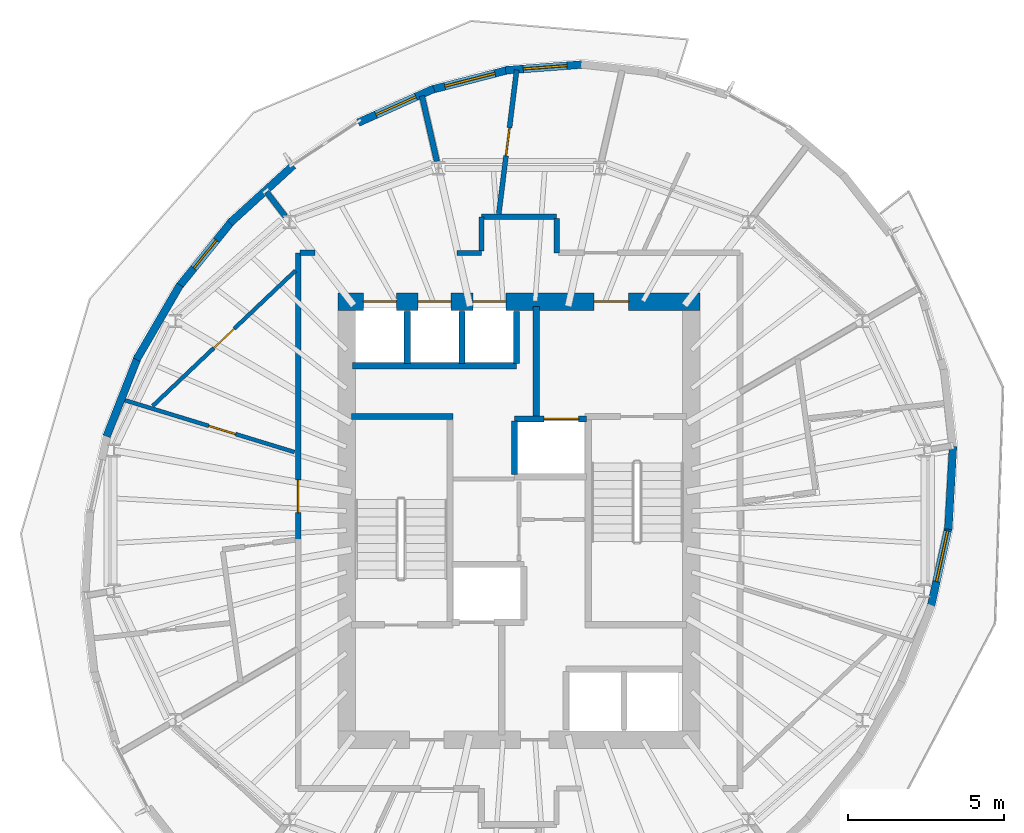
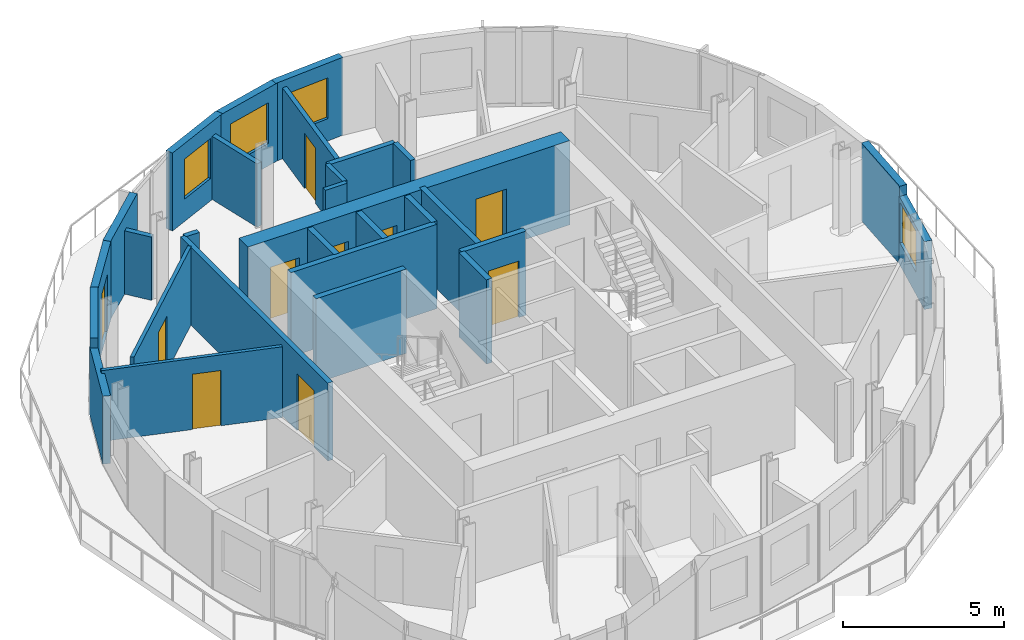
# One storey, part 6 of 11: 29 walls, 10 doors, 4 windows, 14 openings.
"""IFC4 building model written with IfcOpenShell, lengths in metres."""

from ifc_helpers import new_model, si_unit, direction, frame, frame_2d, origin, place, context, subcontext, project, spatial, rectangle, extrude, material, layer, layer_set, type_object, element, fill, save


model = new_model("IFC4")

# Units and contexts
model_context = context("Model", 3, precision=1e-05, world=origin(), true_north=direction((0.0, 1.0)))
body_context = subcontext(model_context, "Body", "Model", "MODEL_VIEW")
ifc_project = project(units=[si_unit("LENGTHUNIT", "METRE"), si_unit("AREAUNIT", "SQUARE_METRE"), si_unit("VOLUMEUNIT", "CUBIC_METRE"), si_unit("PLANEANGLEUNIT", "RADIAN"), si_unit("MASSUNIT", "GRAM", prefix="KILO")], contexts=[model_context])

# Site, building, storey
site_placement = place(None, origin())
site = spatial("IfcSite", under=ifc_project, at=site_placement, CompositionType="ELEMENT")
building_placement = place(site_placement, origin())
building = spatial("IfcBuilding", under=site, at=building_placement, Name="Veldorim Arch Residences", CompositionType="ELEMENT")
storey_placement = place(building_placement, frame((0.0, 0.0, 223.840087890625)))
storey = spatial("IfcBuildingStorey", under=building, at=storey_placement, Name="L67", CompositionType="ELEMENT", Elevation=223.840087890625)

# Wall, opening, door
ifc_material_1 = material(Name="Acoustic Gypsum Board", Category="gypsum")
ifc_layer_1 = layer(ifc_material_1, 0.125, Name="Acoustic Stud Room Partition Wall 125")
ifc_layer_set_1 = layer_set([ifc_layer_1], Name="Acoustic Gypsum Board")
wall_type_1 = type_object("IfcWallType", Name="Acoustic Stud Room Partition Wall 125", PredefinedType="PARTITIONING", material=ifc_layer_set_1)
wall_1_placement = place(storey_placement, frame((19.2998046875, 27.879150390625, 0.0), z_axis=(0.0, 0.0, 1.0), x_axis=(0.956379122361, -0.29212835246, 0.0)))
wall_1 = element("IfcWall", 1, at=wall_1_placement, inside=storey, type_object=wall_type_1, Name="L67 interior wall WL-RES-L67-030", PredefinedType="PARTITIONING", context=body_context, shape_type="SweptSolid", body=[
    extrude(rectangle(XDim=5.77734375, YDim=0.125, at=frame_2d((2.888671875, 0.0))), origin(), (0.0, 0.0, 1.0), 2.69189453125),
])
opening_1_placement = place(wall_1_placement, frame((2.91015625, 0.0, 0.0)))
opening_1 = element("IfcOpeningElement", 2, at=opening_1_placement, cuts=wall_1, Name="Opening DR-INT", PredefinedType="OPENING", context=body_context, shape_type="SweptSolid", body=[
    extrude(rectangle(XDim=0.89990234375, YDim=2.10009765625, at=frame_2d((0.449951171875, 1.050048828125))), frame((0.0, 0.072509765625, 0.0), z_axis=(0.0, -1.0, 0.0), x_axis=(1.0, 0.0, 0.0)), (0.0, 0.0, 1.0), 0.14501953125),
])
ifc_material_2 = material(Name="Engineered Timber", Category="wood")
door_type_1 = type_object("IfcDoorType", Name="Apartment Internal Room Timber Door 900x2100", OperationType="SINGLE_SWING_LEFT", PredefinedType="DOOR", material=ifc_material_2)
door_1_placement = place(opening_1_placement, origin())
door_1 = element("IfcDoor", 3, at=door_1_placement, inside=storey, type_object=door_type_1, Name="L67 interior door DR-RES-L67-016", OperationType="SINGLE_SWING_RIGHT", OverallHeight=2.10009765625, OverallWidth=0.89990234375, PredefinedType="DOOR", context=body_context, shape_type="SweptSolid", body=[
    extrude(rectangle(XDim=0.89990234375, YDim=2.10009765625, at=frame_2d((0.449951171875, 1.050048828125))), frame((0.0, 0.02490234375, 0.0), z_axis=(0.0, -1.0, 0.0), x_axis=(1.0, 0.0, 0.0)), (0.0, 0.0, 1.0), 0.050048828125),
])
fill(opening_1, door_1)

wall_2_placement = place(storey_placement, frame((20.29345703125, 27.66650390625, 0.0), z_axis=(0.0, 0.0, 1.0), x_axis=(0.725799476315, 0.687906330965, 0.0)))
wall_2 = element("IfcWall", 4, at=wall_2_placement, inside=storey, type_object=wall_type_1, Name="L67 interior wall WL-RES-L67-033", PredefinedType="PARTITIONING", context=body_context, shape_type="SweptSolid", body=[
    extrude(rectangle(XDim=6.28173828125, YDim=0.125, at=frame_2d((3.140869140625, 0.0))), origin(), (0.0, 0.0, 1.0), 2.954833984375),
])
opening_2_placement = place(wall_2_placement, frame((2.69091796875, 0.0, 0.0)))
opening_2 = element("IfcOpeningElement", 5, at=opening_2_placement, cuts=wall_2, Name="Opening DR-INT", PredefinedType="OPENING", context=body_context, shape_type="SweptSolid", body=[
    extrude(rectangle(XDim=0.89990234375, YDim=2.10009765625, at=frame_2d((0.449951171875, 1.050048828125))), frame((0.0, 0.072509765625, 0.0), z_axis=(0.0, -1.0, 0.0), x_axis=(1.0, 0.0, 0.0)), (0.0, 0.0, 1.0), 0.14501953125),
])
door_2_placement = place(opening_2_placement, origin())
door_2 = element("IfcDoor", 6, at=door_2_placement, inside=storey, type_object=door_type_1, Name="L67 interior door DR-RES-L67-017", OperationType="SINGLE_SWING_LEFT", OverallHeight=2.10009765625, OverallWidth=0.89990234375, PredefinedType="DOOR", context=body_context, shape_type="SweptSolid", body=[
    extrude(rectangle(XDim=0.89990234375, YDim=2.10009765625, at=frame_2d((0.449951171875, 1.050048828125))), frame((0.0, 0.02490234375, 0.0), z_axis=(0.0, -1.0, 0.0), x_axis=(1.0, 0.0, 0.0)), (0.0, 0.0, 1.0), 0.050048828125),
])
fill(opening_2, door_2)

# Walls
ifc_material_3 = material(Name="Lightweight Masonry Block & Gypsum", Category="masonry")
ifc_layer_2 = layer(ifc_material_3, 0.179931640625, Name="Compartment & Corridor Fire-Rated Party Wall 180")
ifc_layer_set_2 = layer_set([ifc_layer_2], Name="Lightweight Masonry Block & Gypsum")
wall_type_2 = type_object("IfcWallType", Name="Compartment & Corridor Fire-Rated Party Wall 180", PredefinedType="PARTITIONING", material=ifc_layer_set_2)
wall_3_placement = place(storey_placement, frame((29.37353515625, 35.483154296875, 0.0), z_axis=(0.0, 0.0, 1.0), x_axis=(-0.222945438732, 0.974830924493, 0.0)))
element("IfcWall", 7, at=wall_3_placement, inside=storey, type_object=wall_type_2, Name="L67 interior wall WL-PIER-L67-05", PredefinedType="PARTITIONING", context=body_context, shape_type="SweptSolid", body=[
    extrude(rectangle(XDim=2.14306640625, YDim=0.179931640625, at=frame_2d((1.071533203125, 0.0))), origin(), (0.0, 0.0, 1.0), 2.4033203125),
])
wall_4_placement = place(storey_placement, frame((24.526611328125, 33.727294921875, 0.0), z_axis=(0.0, 0.0, 1.0), x_axis=(-0.60918017505, 0.793031849503, 0.0)))
element("IfcWall", 8, at=wall_4_placement, inside=storey, type_object=wall_type_2, Name="L67 interior wall WL-PIER-L67-06", PredefinedType="PARTITIONING", context=body_context, shape_type="SweptSolid", body=[
    extrude(rectangle(XDim=0.978759765625, YDim=0.179931640625, at=frame_2d((0.4892578125, 0.0))), origin(), (0.0, 0.0, 1.0), 2.4033203125),
])
wall_5_placement = place(storey_placement, frame((30.800048828125, 33.7099609375, 0.0), z_axis=(0.0, 0.0, 1.0), x_axis=(1.0, 0.0, 0.0)))
element("IfcWall", 9, at=wall_5_placement, inside=storey, type_object=wall_type_2, Name="L67 interior wall WL-RES-L67-009", PredefinedType="PARTITIONING", context=body_context, shape_type="SweptSolid", body=[
    extrude(rectangle(XDim=2.39990234375, YDim=0.179931640625, at=frame_2d((1.199951171875, 0.0))), origin(), (0.0, 0.0, 1.0), 2.954833984375),
])
wall_6_placement = place(storey_placement, frame((33.199951171875, 33.64990234375, 0.0), z_axis=(0.0, 0.0, 1.0), x_axis=(0.0, -1.0, 0.0)))
element("IfcWall", 10, at=wall_6_placement, inside=storey, type_object=wall_type_2, Name="L67 interior wall WL-RES-L67-010", PredefinedType="PARTITIONING", context=body_context, shape_type="SweptSolid", body=[
    extrude(rectangle(XDim=1.08984375, YDim=0.179931640625, at=frame_2d((0.544921875, 0.0))), origin(), (0.0, 0.0, 1.0), 2.954833984375),
])

# Wall, opening, door
wall_7_placement = place(storey_placement, frame((24.93994140625, 23.383544921875, 0.0), z_axis=(0.0, 0.0, 1.0), x_axis=(0.0, 1.0, 0.0)))
wall_7 = element("IfcWall", 11, at=wall_7_placement, inside=storey, type_object=wall_type_2, Name="L67 interior wall WL-RES-L67-014", PredefinedType="PARTITIONING", context=body_context, shape_type="SweptSolid", body=[
    extrude(rectangle(XDim=9.176513671875, YDim=0.179931640625, at=frame_2d((4.58837890625, 0.0))), origin(), (0.0, 0.0, 1.0), 2.954833984375),
])
opening_3_placement = place(wall_7_placement, frame((0.871826171875, 0.0, 0.0)))
opening_3 = element("IfcOpeningElement", 12, at=opening_3_placement, cuts=wall_7, Name="Opening DR-FLT", PredefinedType="OPENING", context=body_context, shape_type="SweptSolid", body=[
    extrude(rectangle(XDim=1.050048828125, YDim=2.14990234375, at=frame_2d((0.52490234375, 1.074951171875))), frame((0.0, 0.099853515625, 0.0), z_axis=(0.0, -1.0, 0.0), x_axis=(1.0, 0.0, 0.0)), (0.0, 0.0, 1.0), 0.199951171875),
])
ifc_material_4 = material(Name="Fire-Rated Timber", Category="wood")
door_type_2 = type_object("IfcDoorType", Name="Apartment Entrance Solid-Core Fire Door 1050x2150", OperationType="SINGLE_SWING_LEFT", PredefinedType="DOOR", material=ifc_material_4)
door_3_placement = place(opening_3_placement, origin())
door_3 = element("IfcDoor", 13, at=door_3_placement, inside=storey, type_object=door_type_2, Name="L67 interior door DR-RES-L67-014", OperationType="SINGLE_SWING_RIGHT", OverallHeight=2.14990234375, OverallWidth=1.050048828125, PredefinedType="DOOR", context=body_context, shape_type="SweptSolid", body=[
    extrude(rectangle(XDim=1.050048828125, YDim=2.14990234375, at=frame_2d((0.52490234375, 1.074951171875))), frame((0.0, 0.02490234375, 0.0), z_axis=(0.0, -1.0, 0.0), x_axis=(1.0, 0.0, 0.0)), (0.0, 0.0, 1.0), 0.050048828125),
])
fill(opening_3, door_3)

# Walls
wall_8_placement = place(storey_placement, frame((25.0, 32.56005859375, 0.0), z_axis=(0.0, 0.0, 1.0), x_axis=(1.0, 0.0, 0.0)))
element("IfcWall", 14, at=wall_8_placement, inside=storey, type_object=wall_type_2, Name="L67 interior wall WL-RES-L67-015", PredefinedType="PARTITIONING", context=body_context, shape_type="SweptSolid", body=[
    extrude(rectangle(XDim=0.485595703125, YDim=0.179931640625, at=frame_2d((0.24267578125, 0.0))), origin(), (0.0, 0.0, 1.0), 2.954833984375),
])
ifc_material_5 = material(Name="Concrete C50/60", Category="concrete")
ifc_layer_3 = layer(ifc_material_5, 0.199951171875, Name="Core Stair & Lift Shaft Enclosure Wall 200")
ifc_layer_set_3 = layer_set([ifc_layer_3], Name="Concrete C50/60")
wall_type_3 = type_object("IfcWallType", Name="Core Stair & Lift Shaft Enclosure Wall 200", PredefinedType="SHEAR", material=ifc_layer_set_3)
wall_9_placement = place(storey_placement, frame((26.64990234375, 27.330078125, 0.0), z_axis=(0.0, 0.0, 1.0), x_axis=(1.0, 0.0, 0.0)))
element("IfcWall", 15, at=wall_9_placement, inside=storey, type_object=wall_type_3, Name="L67 shaft wall WL-SHF-L67-ST1-N", PredefinedType="SHEAR", context=body_context, shape_type="SweptSolid", body=[
    extrude(rectangle(XDim=3.239990234375, YDim=0.199951171875, at=frame_2d((1.6201171875, 0.0))), origin(), (0.0, 0.0, 1.0), 3.199951171875),
])
wall_10_placement = place(storey_placement, frame((32.550048828125, 27.35009765625, 0.0), z_axis=(0.0, 0.0, 1.0), x_axis=(0.0, 1.0, 0.0)))
element("IfcWall", 16, at=wall_10_placement, inside=storey, type_object=wall_type_3, Name="L67 shaft wall WL-FFL2-L67-W", PredefinedType="SHEAR", context=body_context, shape_type="SweptSolid", body=[
    extrude(rectangle(XDim=3.5, YDim=0.199951171875, at=frame_2d((1.75, 0.0))), origin(), (0.0, 0.0, 1.0), 3.199951171875),
])

# Wall, opening, door
wall_11_placement = place(storey_placement, frame((31.85009765625, 27.25, 0.0), z_axis=(0.0, 0.0, 1.0), x_axis=(1.0, 0.0, 0.0)))
wall_11 = element("IfcWall", 17, at=wall_11_placement, inside=storey, type_object=wall_type_3, Name="L67 shaft wall WL-FL02-L67-N", PredefinedType="SHEAR", context=body_context, shape_type="SweptSolid", body=[
    extrude(rectangle(XDim=2.2998046875, YDim=0.199951171875, at=frame_2d((1.14990234375, 0.0))), origin(), (0.0, 0.0, 1.0), 3.199951171875),
])
opening_4_placement = place(wall_11_placement, frame((0.949951171875, 0.0, 0.0)))
opening_4 = element("IfcOpeningElement", 18, at=opening_4_placement, cuts=wall_11, Name="Opening LD-FF", PredefinedType="OPENING", context=body_context, shape_type="SweptSolid", body=[
    extrude(rectangle(XDim=1.10009765625, YDim=2.14990234375, at=frame_2d((0.550048828125, 1.074951171875))), frame((0.0, 0.10986328125, 0.0), z_axis=(0.0, -1.0, 0.0), x_axis=(1.0, 0.0, 0.0)), (0.0, 0.0, 1.0), 0.219970703125),
])
ifc_material_6 = material(Name="Stainless Steel", Category="steel")
door_type_3 = type_object("IfcDoorType", Name="Firefighting Lift Bi-Parting Sliding Landing Door 1100x2150", OperationType="DOUBLE_DOOR_SLIDING", PredefinedType="DOOR", material=ifc_material_6)
door_4_placement = place(opening_4_placement, origin())
door_4 = element("IfcDoor", 19, at=door_4_placement, inside=storey, type_object=door_type_3, Name="L67 lift landing door LD-L67-FL02", OperationType="DOUBLE_DOOR_SLIDING", OverallHeight=2.14990234375, OverallWidth=1.10009765625, PredefinedType="DOOR", context=body_context, shape_type="SweptSolid", body=[
    extrude(rectangle(XDim=1.10009765625, YDim=2.14990234375, at=frame_2d((0.550048828125, 1.074951171875))), frame((0.0, 0.02490234375, 0.0), z_axis=(0.0, -1.0, 0.0), x_axis=(1.0, 0.0, 0.0)), (0.0, 0.0, 1.0), 0.050048828125),
])
fill(opening_4, door_4)

# Walls
wall_12_placement = place(storey_placement, frame((31.85009765625, 25.469970703125, 0.0), z_axis=(0.0, 0.0, 1.0), x_axis=(0.0, 1.0, 0.0)))
element("IfcWall", 20, at=wall_12_placement, inside=storey, type_object=wall_type_3, Name="L67 shaft wall WL-FL02-L67-W", PredefinedType="SHEAR", context=body_context, shape_type="SweptSolid", body=[
    extrude(rectangle(XDim=1.7099609375, YDim=0.199951171875, at=frame_2d((0.85498046875, 0.0))), origin(), (0.0, 0.0, 1.0), 3.199951171875),
])
wall_13_placement = place(storey_placement, frame((26.679931640625, 28.949951171875, 0.0), z_axis=(0.0, 0.0, 1.0), x_axis=(1.0, 0.0, 0.0)))
element("IfcWall", 21, at=wall_13_placement, inside=storey, type_object=wall_type_3, Name="L67 shaft wall WL-B3-L67-S", PredefinedType="SHEAR", context=body_context, shape_type="SweptSolid", body=[
    extrude(rectangle(XDim=5.239990234375, YDim=0.199951171875, at=frame_2d((2.6201171875, 0.0))), origin(), (0.0, 0.0, 1.0), 3.199951171875),
])
for number, where, z_axis, x_axis, name in (
    (22, (31.919921875, 29.02001953125, 0.0), (0.0, 0.0, 1.0), (0.0, 1.0, 0.0), "L67 shaft wall WL-B3-L67-E"),
    (23, (28.425048828125, 29.02001953125, 0.0), (0.0, 0.0, 1.0), (0.0, 1.0, 0.0), "L67 shaft wall WL-B3-L67-D1"),
    (24, (30.175048828125, 29.02001953125, 0.0), (0.0, 0.0, 1.0), (0.0, 1.0, 0.0), "L67 shaft wall WL-B3-L67-D2"),
):
    element("IfcWall", number, at=place(storey_placement, frame(where, z_axis=z_axis, x_axis=x_axis)), inside=storey, type_object=wall_type_3, Name=name, PredefinedType="SHEAR", context=body_context, shape_type="SweptSolid", body=[
        extrude(rectangle(XDim=1.659912109375, YDim=0.199951171875, at=frame_2d((0.830078125, 0.0))), origin(), (0.0, 0.0, 1.0), 3.199951171875),
    ])

# Wall, opening, window
ifc_material_7 = material(Name="Precast concrete C40/50", Category="concrete")
ifc_layer_4 = layer(ifc_material_7, 0.25, Name="Tower Terracotta Spandrel & Pier Wall 250")
ifc_layer_set_4 = layer_set([ifc_layer_4], Name="Precast concrete C40/50")
wall_type_4 = type_object("IfcWallType", Name="Tower Terracotta Spandrel & Pier Wall 250", PredefinedType="SOLIDWALL", material=ifc_layer_set_4)
wall_14_placement = place(storey_placement, frame((31.57080078125, 38.393798828125, 0.0), z_axis=(0.0, 0.0, 1.0), x_axis=(0.997203982256, 0.074727623888, 0.0)))
wall_14 = element("IfcWall", 25, at=wall_14_placement, inside=storey, type_object=wall_type_4, Name="L67 terracotta facade wall 04", PredefinedType="SOLIDWALL", context=body_context, shape_type="SweptSolid", body=[
    extrude(rectangle(XDim=2.531982421875, YDim=0.25, at=frame_2d((1.26611328125, 0.0))), origin(), (0.0, 0.0, 1.0), 2.9599609375),
])
opening_5_placement = place(wall_14_placement, frame((0.56591796875, 0.0, 0.85009765625)))
opening_5 = element("IfcOpeningElement", 26, at=opening_5_placement, cuts=wall_14, Name="Opening WN-02", PredefinedType="OPENING", context=body_context, shape_type="SweptSolid", body=[
    extrude(rectangle(XDim=1.39990234375, YDim=1.550048828125, at=frame_2d((0.699951171875, 0.77490234375))), frame((0.0, 0.135009765625, 0.0), z_axis=(0.0, -1.0, 0.0), x_axis=(1.0, 0.0, 0.0)), (0.0, 0.0, 1.0), 0.27001953125),
])
ifc_material_8 = material(Name="Laminated Low-E Glass", Category="glass")
window_type_1 = type_object("IfcWindowType", Name="Residential Casement Window 1400x1550", PartitioningType="SINGLE_PANEL", PredefinedType="WINDOW", material=ifc_material_8)
window_1_placement = place(opening_5_placement, origin())
window_1 = element("IfcWindow", 27, at=window_1_placement, inside=storey, type_object=window_type_1, Name="L67 solar-control facade window 04", OverallHeight=1.550048828125, OverallWidth=1.39990234375, PartitioningType="SINGLE_PANEL", PredefinedType="WINDOW", context=body_context, shape_type="SweptSolid", body=[
    extrude(rectangle(XDim=1.39990234375, YDim=1.550048828125, at=frame_2d((0.699951171875, 0.77490234375))), frame((0.0, 0.030029296875, 0.0), z_axis=(0.0, -1.0, 0.0), x_axis=(1.0, 0.0, 0.0)), (0.0, 0.0, 1.0), 0.06005859375),
])
fill(opening_5, window_1)

wall_15_placement = place(storey_placement, frame((29.170654296875, 37.765625, 0.0), z_axis=(0.0, 0.0, 1.0), x_axis=(0.968423445169, 0.249311112562, 0.0)))
wall_15 = element("IfcWall", 28, at=wall_15_placement, inside=storey, type_object=wall_type_4, Name="L67 terracotta facade wall 05", PredefinedType="SOLIDWALL", context=body_context, shape_type="SweptSolid", body=[
    extrude(rectangle(XDim=2.592041015625, YDim=0.25, at=frame_2d((1.2958984375, 0.0))), origin(), (0.0, 0.0, 1.0), 2.9599609375),
])
opening_6_placement = place(wall_15_placement, frame((0.470947265625, 0.0, 0.85009765625)))
opening_6 = element("IfcOpeningElement", 29, at=opening_6_placement, cuts=wall_15, Name="Opening WN-03", PredefinedType="OPENING", context=body_context, shape_type="SweptSolid", body=[
    extrude(rectangle(XDim=1.64990234375, YDim=1.550048828125, at=frame_2d((0.824951171875, 0.77490234375))), frame((0.0, 0.135009765625, 0.0), z_axis=(0.0, -1.0, 0.0), x_axis=(1.0, 0.0, 0.0)), (0.0, 0.0, 1.0), 0.27001953125),
])
ifc_material_9 = material(Name="Laminated Low-E Glass", Category="glass")
window_type_2 = type_object("IfcWindowType", Name="Residential Wide Window 1650x1550", PartitioningType="SINGLE_PANEL", PredefinedType="WINDOW", material=ifc_material_9)
window_2_placement = place(opening_6_placement, origin())
window_2 = element("IfcWindow", 30, at=window_2_placement, inside=storey, type_object=window_type_2, Name="L67 solar-control facade window 05", OverallHeight=1.550048828125, OverallWidth=1.64990234375, PartitioningType="SINGLE_PANEL", PredefinedType="WINDOW", context=body_context, shape_type="SweptSolid", body=[
    extrude(rectangle(XDim=1.64990234375, YDim=1.550048828125, at=frame_2d((0.824951171875, 0.77490234375))), frame((0.0, 0.030029296875, 0.0), z_axis=(0.0, -1.0, 0.0), x_axis=(1.0, 0.0, 0.0)), (0.0, 0.0, 1.0), 0.06005859375),
])
fill(opening_6, window_2)

wall_16_placement = place(storey_placement, frame((26.85546875, 36.719482421875, 0.0), z_axis=(0.0, 0.0, 1.0), x_axis=(0.912779399898, 0.408452894617, 0.0)))
wall_16 = element("IfcWall", 31, at=wall_16_placement, inside=storey, type_object=wall_type_4, Name="L67 terracotta facade wall 06", PredefinedType="SOLIDWALL", context=body_context, shape_type="SweptSolid", body=[
    extrude(rectangle(XDim=2.65087890625, YDim=0.25, at=frame_2d((1.325439453125, 0.0))), origin(), (0.0, 0.0, 1.0), 2.9599609375),
])
opening_7_placement = place(wall_16_placement, frame((0.625, 0.0, 0.85009765625)))
opening_7 = element("IfcOpeningElement", 32, at=opening_7_placement, cuts=wall_16, Name="Opening WN-02", PredefinedType="OPENING", context=body_context, shape_type="SweptSolid", body=[
    extrude(rectangle(XDim=1.39990234375, YDim=1.52001953125, at=frame_2d((0.699951171875, 0.760009765625))), frame((0.0, 0.135009765625, 0.0), z_axis=(0.0, -1.0, 0.0), x_axis=(1.0, 0.0, 0.0)), (0.0, 0.0, 1.0), 0.27001953125),
])
window_3_placement = place(opening_7_placement, origin())
window_3 = element("IfcWindow", 33, at=window_3_placement, inside=storey, type_object=window_type_1, Name="L67 solar-control facade window 06", OverallHeight=1.52001953125, OverallWidth=1.39990234375, PartitioningType="SINGLE_PANEL", PredefinedType="WINDOW", context=body_context, shape_type="SweptSolid", body=[
    extrude(rectangle(XDim=1.39990234375, YDim=1.52001953125, at=frame_2d((0.699951171875, 0.760009765625))), frame((0.0, 0.030029296875, 0.0), z_axis=(0.0, -1.0, 0.0), x_axis=(1.0, 0.0, 0.0)), (0.0, 0.0, 1.0), 0.06005859375),
])
fill(opening_7, window_3)

# Wall
wall_17_placement = place(storey_placement, frame((22.757080078125, 33.509521484375, 0.0), z_axis=(0.0, 0.0, 1.0), x_axis=(0.739366950434, 0.673302690182, 0.0)))
element("IfcWall", 34, at=wall_17_placement, inside=storey, type_object=wall_type_4, Name="L67 terracotta facade wall 08", PredefinedType="SOLIDWALL", context=body_context, shape_type="SweptSolid", body=[
    extrude(rectangle(XDim=2.73828125, YDim=0.25, at=frame_2d((1.369140625, 0.0))), origin(), (0.0, 0.0, 1.0), 2.9599609375),
])

# Wall, opening, door
wall_18_placement = place(storey_placement, frame((21.099609375, 31.4423828125, 0.0), z_axis=(0.0, 0.0, 1.0), x_axis=(0.628046541479, 0.778175778174, 0.0)))
wall_18 = element("IfcWall", 35, at=wall_18_placement, inside=storey, type_object=wall_type_4, Name="L67 terracotta facade wall 09", PredefinedType="SOLIDWALL", context=body_context, shape_type="SweptSolid", body=[
    extrude(rectangle(XDim=2.758056640625, YDim=0.25, at=frame_2d((1.37890625, 0.0))), origin(), (0.0, 0.0, 1.0), 2.9599609375),
])
opening_8_placement = place(wall_18_placement, frame((0.803955078125, 0.0, 0.0)))
opening_8 = element("IfcOpeningElement", 36, at=opening_8_placement, cuts=wall_18, Name="Opening BL-DR", PredefinedType="OPENING", context=body_context, shape_type="SweptSolid", body=[
    extrude(rectangle(XDim=1.14990234375, YDim=2.199951171875, at=frame_2d((0.574951171875, 1.10009765625))), frame((0.0, 0.135009765625, 0.0), z_axis=(0.0, -1.0, 0.0), x_axis=(1.0, 0.0, 0.0)), (0.0, 0.0, 1.0), 0.27001953125),
])
ifc_material_10 = material(Name="Aluminium & Low-E Glass", Category="aluminium")
door_type_4 = type_object("IfcDoorType", Name="Glazed Planted Balcony Door 1150x2200", OperationType="SINGLE_SWING_LEFT", PredefinedType="DOOR", material=ifc_material_10)
door_5_placement = place(opening_8_placement, origin())
door_5 = element("IfcDoor", 37, at=door_5_placement, inside=storey, type_object=door_type_4, Name="L67 glazed outdoor terrace door BALC-1", OperationType="SINGLE_SWING_LEFT", OverallHeight=2.199951171875, OverallWidth=1.14990234375, PredefinedType="DOOR", context=body_context, shape_type="SweptSolid", body=[
    extrude(rectangle(XDim=1.14990234375, YDim=2.199951171875, at=frame_2d((0.574951171875, 1.10009765625))), frame((0.0, 0.02490234375, 0.0), z_axis=(0.0, -1.0, 0.0), x_axis=(1.0, 0.0, 0.0)), (0.0, 0.0, 1.0), 0.050048828125),
])
fill(opening_8, door_5)

# Walls
wall_19_placement = place(storey_placement, frame((19.7734375, 29.148681640625, 0.0), z_axis=(0.0, 0.0, 1.0), x_axis=(0.503177339128, 0.864183178144, 0.0)))
element("IfcWall", 38, at=wall_19_placement, inside=storey, type_object=wall_type_4, Name="L67 terracotta facade wall 10", PredefinedType="SOLIDWALL", context=body_context, shape_type="SweptSolid", body=[
    extrude(rectangle(XDim=2.7578125, YDim=0.25, at=frame_2d((1.37890625, 0.0))), origin(), (0.0, 0.0, 1.0), 2.9599609375),
])
wall_20_placement = place(storey_placement, frame((18.819580078125, 26.697509765625, 0.0), z_axis=(0.0, 0.0, 1.0), x_axis=(0.365588934877, 0.930776412838, 0.0)))
element("IfcWall", 39, at=wall_20_placement, inside=storey, type_object=wall_type_4, Name="L67 terracotta facade wall 11", PredefinedType="SOLIDWALL", context=body_context, shape_type="SweptSolid", body=[
    extrude(rectangle(XDim=2.73876953125, YDim=0.25, at=frame_2d((1.369384765625, 0.0))), origin(), (0.0, 0.0, 1.0), 2.576904296875),
])

# Wall, opening, window
wall_21_placement = place(storey_placement, frame((45.73291015625, 23.835693359375, 0.0), z_axis=(0.0, 0.0, 1.0), x_axis=(-0.21633718885, -0.976318708579, 0.0)))
wall_21 = element("IfcWall", 40, at=wall_21_placement, inside=storey, type_object=wall_type_4, Name="L67 terracotta facade wall 30", PredefinedType="SOLIDWALL", context=body_context, shape_type="SweptSolid", body=[
    extrude(rectangle(XDim=2.70166015625, YDim=0.25, at=frame_2d((1.350830078125, 0.0))), origin(), (0.0, 0.0, 1.0), 2.576904296875),
])
opening_9_placement = place(wall_21_placement, frame((0.175048828125, 0.0, 0.85009765625)))
opening_9 = element("IfcOpeningElement", 41, at=opening_9_placement, cuts=wall_21, Name="Opening WN-03", PredefinedType="OPENING", context=body_context, shape_type="SweptSolid", body=[
    extrude(rectangle(XDim=1.64990234375, YDim=1.550048828125, at=frame_2d((0.824951171875, 0.77490234375))), frame((0.0, 0.135009765625, 0.0), z_axis=(0.0, -1.0, 0.0), x_axis=(1.0, 0.0, 0.0)), (0.0, 0.0, 1.0), 0.27001953125),
])
window_4_placement = place(opening_9_placement, origin())
window_4 = element("IfcWindow", 42, at=window_4_placement, inside=storey, type_object=window_type_2, Name="L67 solar-control facade window 30", OverallHeight=1.550048828125, OverallWidth=1.64990234375, PartitioningType="SINGLE_PANEL", PredefinedType="WINDOW", context=body_context, shape_type="SweptSolid", body=[
    extrude(rectangle(XDim=1.64990234375, YDim=1.550048828125, at=frame_2d((0.824951171875, 0.77490234375))), frame((0.0, 0.030029296875, 0.0), z_axis=(0.0, -1.0, 0.0), x_axis=(1.0, 0.0, 0.0)), (0.0, 0.0, 1.0), 0.06005859375),
])
fill(opening_9, window_4)

# Wall
wall_22_placement = place(storey_placement, frame((45.866943359375, 26.37353515625, 0.0), z_axis=(0.0, 0.0, 1.0), x_axis=(-0.056270814174, -0.998415542483, 0.0)))
element("IfcWall", 43, at=wall_22_placement, inside=storey, type_object=wall_type_4, Name="L67 terracotta facade wall 31", PredefinedType="SOLIDWALL", context=body_context, shape_type="SweptSolid", body=[
    extrude(rectangle(XDim=2.65087890625, YDim=0.25, at=frame_2d((1.325439453125, 0.0))), origin(), (0.0, 0.0, 1.0), 2.9599609375),
])

# Wall, openings, doors
ifc_material_11 = material(Name="Concrete C50/60", Category="concrete")
ifc_layer_5 = layer(ifc_material_11, 0.5, Name="Upper Central Core Shear Wall 560")
ifc_layer_set_5 = layer_set([ifc_layer_5], Name="Concrete C50/60")
wall_type_5 = type_object("IfcWallType", Name="Upper Central Core Shear Wall 560", PredefinedType="SHEAR", material=ifc_layer_set_5)
wall_23_placement = place(storey_placement, frame((26.219970703125, 31.0, 0.0), z_axis=(0.0, 0.0, 1.0), x_axis=(1.0, 0.0, 0.0)))
wall_23 = element("IfcWall", 44, at=wall_23_placement, inside=storey, type_object=wall_type_5, Name="L67 central core north shear wall", PredefinedType="SHEAR", context=body_context, shape_type="SweptSolid", body=[
    extrude(rectangle(XDim=11.56005859375, YDim=0.56005859375, at=frame_2d((5.780029296875, 0.0))), origin(), (0.0, 0.0, 1.0), 3.199951171875),
])
opening_10_placement = place(wall_23_placement, frame((8.179931640625, 0.0, 0.0)))
opening_10 = element("IfcOpeningElement", 45, at=opening_10_placement, cuts=wall_23, Name="Opening DR-FFL", PredefinedType="OPENING", context=body_context, shape_type="SweptSolid", body=[
    extrude(rectangle(XDim=1.10009765625, YDim=2.14990234375, at=frame_2d((0.550048828125, 1.074951171875))), frame((0.0, 0.2900390625, 0.0), z_axis=(0.0, -1.0, 0.0), x_axis=(1.0, 0.0, 0.0)), (0.0, 0.0, 1.0), 0.580078125),
])
opening_11_placement = place(wall_23_placement, frame((0.804931640625, 0.0, 0.0)))
opening_11 = element("IfcOpeningElement", 46, at=opening_11_placement, cuts=wall_23, Name="Opening LD-PS", PredefinedType="OPENING", context=body_context, shape_type="SweptSolid", body=[
    extrude(rectangle(XDim=1.050048828125, YDim=2.14990234375, at=frame_2d((0.52490234375, 1.074951171875))), frame((0.0, 0.2900390625, 0.0), z_axis=(0.0, -1.0, 0.0), x_axis=(1.0, 0.0, 0.0)), (0.0, 0.0, 1.0), 0.580078125),
])
opening_12_placement = place(wall_23_placement, frame((2.554931640625, 0.0, 0.0)))
opening_12 = element("IfcOpeningElement", 47, at=opening_12_placement, cuts=wall_23, Name="Opening LD-PS", PredefinedType="OPENING", context=body_context, shape_type="SweptSolid", body=[
    extrude(rectangle(XDim=1.050048828125, YDim=2.14990234375, at=frame_2d((0.52490234375, 1.074951171875))), frame((0.0, 0.2900390625, 0.0), z_axis=(0.0, -1.0, 0.0), x_axis=(1.0, 0.0, 0.0)), (0.0, 0.0, 1.0), 0.580078125),
])
opening_13_placement = place(wall_23_placement, frame((4.304931640625, 0.0, 0.0)))
opening_13 = element("IfcOpeningElement", 48, at=opening_13_placement, cuts=wall_23, Name="Opening LD-PS", PredefinedType="OPENING", context=body_context, shape_type="SweptSolid", body=[
    extrude(rectangle(XDim=1.050048828125, YDim=2.14990234375, at=frame_2d((0.52490234375, 1.074951171875))), frame((0.0, 0.2900390625, 0.0), z_axis=(0.0, -1.0, 0.0), x_axis=(1.0, 0.0, 0.0)), (0.0, 0.0, 1.0), 0.580078125),
])
ifc_material_12 = material(Name="Fire-Rated Steel & Vision Glass", Category="steel")
door_type_5 = type_object("IfcDoorType", Name="Firefighting Lobby Smoke-Stop Fire Door 1100x2150", OperationType="SINGLE_SWING_LEFT", PredefinedType="DOOR", material=ifc_material_12)
door_6_placement = place(opening_10_placement, origin())
door_6 = element("IfcDoor", 49, at=door_6_placement, inside=storey, type_object=door_type_5, Name="L67 interior door DR-L67-FFL2", OperationType="SINGLE_SWING_LEFT", OverallHeight=2.14990234375, OverallWidth=1.10009765625, PredefinedType="DOOR", context=body_context, shape_type="SweptSolid", body=[
    extrude(rectangle(XDim=1.10009765625, YDim=2.14990234375, at=frame_2d((0.550048828125, 1.074951171875))), frame((0.0, 0.02490234375, 0.0), z_axis=(0.0, -1.0, 0.0), x_axis=(1.0, 0.0, 0.0)), (0.0, 0.0, 1.0), 0.050048828125),
])
fill(opening_10, door_6)
ifc_material_13 = material(Name="Stainless Steel", Category="steel")
door_type_6 = type_object("IfcDoorType", Name="Passenger Lift Bi-Parting Sliding Landing Door 1050x2150", OperationType="DOUBLE_DOOR_SLIDING", PredefinedType="DOOR", material=ifc_material_13)
door_7_placement = place(opening_11_placement, origin())
door_7 = element("IfcDoor", 50, at=door_7_placement, inside=storey, type_object=door_type_6, Name="L67 lift landing door LD-L67-PL-08", OperationType="DOUBLE_DOOR_SLIDING", OverallHeight=2.14990234375, OverallWidth=1.050048828125, PredefinedType="DOOR", context=body_context, shape_type="SweptSolid", body=[
    extrude(rectangle(XDim=1.050048828125, YDim=2.14990234375, at=frame_2d((0.52490234375, 1.074951171875))), frame((0.0, 0.02490234375, 0.0), z_axis=(0.0, -1.0, 0.0), x_axis=(1.0, 0.0, 0.0)), (0.0, 0.0, 1.0), 0.050048828125),
])
fill(opening_11, door_7)
door_8_placement = place(opening_12_placement, origin())
door_8 = element("IfcDoor", 51, at=door_8_placement, inside=storey, type_object=door_type_6, Name="L67 lift landing door LD-L67-PL-09", OperationType="DOUBLE_DOOR_SLIDING", OverallHeight=2.14990234375, OverallWidth=1.050048828125, PredefinedType="DOOR", context=body_context, shape_type="SweptSolid", body=[
    extrude(rectangle(XDim=1.050048828125, YDim=2.14990234375, at=frame_2d((0.52490234375, 1.074951171875))), frame((0.0, 0.02490234375, 0.0), z_axis=(0.0, -1.0, 0.0), x_axis=(1.0, 0.0, 0.0)), (0.0, 0.0, 1.0), 0.050048828125),
])
fill(opening_12, door_8)
door_9_placement = place(opening_13_placement, origin())
door_9 = element("IfcDoor", 52, at=door_9_placement, inside=storey, type_object=door_type_6, Name="L67 lift landing door LD-L67-PL-10", OperationType="DOUBLE_DOOR_SLIDING", OverallHeight=2.14990234375, OverallWidth=1.050048828125, PredefinedType="DOOR", context=body_context, shape_type="SweptSolid", body=[
    extrude(rectangle(XDim=1.050048828125, YDim=2.14990234375, at=frame_2d((0.52490234375, 1.074951171875))), frame((0.0, 0.02490234375, 0.0), z_axis=(0.0, -1.0, 0.0), x_axis=(1.0, 0.0, 0.0)), (0.0, 0.0, 1.0), 0.050048828125),
])
fill(opening_13, door_9)

# Walls
ifc_material_14 = material(Name="Moisture-Resistant Gypsum & Stud", Category="gypsum")
ifc_layer_6 = layer(ifc_material_14, 0.159912109375, Name="Wet-Area Moisture-Resistant Plumbing Wall 160")
ifc_layer_set_6 = layer_set([ifc_layer_6], Name="Moisture-Resistant Gypsum & Stud")
wall_type_6 = type_object("IfcWallType", Name="Wet-Area Moisture-Resistant Plumbing Wall 160", PredefinedType="PLUMBINGWALL", material=ifc_layer_set_6)
wall_24_placement = place(storey_placement, frame((30.021728515625, 32.56005859375, 0.0), z_axis=(0.0, 0.0, 1.0), x_axis=(1.0, 0.0, 0.0)))
element("IfcWall", 53, at=wall_24_placement, inside=storey, type_object=wall_type_6, Name="L67 interior wall WL-RES-L67-012", PredefinedType="PLUMBINGWALL", context=body_context, shape_type="SweptSolid", body=[
    extrude(rectangle(XDim=0.7783203125, YDim=0.159912109375, at=frame_2d((0.38916015625, 0.0))), origin(), (0.0, 0.0, 1.0), 2.954833984375),
])
wall_25_placement = place(storey_placement, frame((30.800048828125, 32.6201171875, 0.0), z_axis=(0.0, 0.0, 1.0), x_axis=(0.0, 1.0, 0.0)))
element("IfcWall", 54, at=wall_25_placement, inside=storey, type_object=wall_type_6, Name="L67 interior wall WL-RES-L67-013", PredefinedType="PLUMBINGWALL", context=body_context, shape_type="SweptSolid", body=[
    extrude(rectangle(XDim=1.08984375, YDim=0.159912109375, at=frame_2d((0.544921875, 0.0))), origin(), (0.0, 0.0, 1.0), 2.954833984375),
])

# Wall, opening, door
wall_26_placement = place(storey_placement, frame((31.352783203125, 33.80908203125, 0.0), z_axis=(0.0, 0.0, 1.0), x_axis=(0.123041966912, 0.992401468348, 0.0)))
wall_26 = element("IfcWall", 55, at=wall_26_placement, inside=storey, type_object=wall_type_6, Name="L67 interior wall WL-RES-L67-026", PredefinedType="PLUMBINGWALL", context=body_context, shape_type="SweptSolid", body=[
    extrude(rectangle(XDim=4.631103515625, YDim=0.159912109375, at=frame_2d((2.3154296875, 0.0))), origin(), (0.0, 0.0, 1.0), 2.69189453125),
])
opening_14_placement = place(wall_26_placement, frame((1.865478515625, 0.0, 0.0)))
opening_14 = element("IfcOpeningElement", 56, at=opening_14_placement, cuts=wall_26, Name="Opening DR-WC", PredefinedType="OPENING", context=body_context, shape_type="SweptSolid", body=[
    extrude(rectangle(XDim=0.89990234375, YDim=2.10009765625, at=frame_2d((0.449951171875, 1.050048828125))), frame((0.0, 0.08984375, 0.0), z_axis=(0.0, -1.0, 0.0), x_axis=(1.0, 0.0, 0.0)), (0.0, 0.0, 1.0), 0.179931640625),
])
ifc_material_15 = material(Name="Laminate Timber", Category="wood")
door_type_7 = type_object("IfcDoorType", Name="Bathroom & Accessible WC Moisture-Sealed Door 900x2100", OperationType="SINGLE_SWING_LEFT", PredefinedType="DOOR", material=ifc_material_15)
door_10_placement = place(opening_14_placement, origin())
door_10 = element("IfcDoor", 57, at=door_10_placement, inside=storey, type_object=door_type_7, Name="L67 interior door DR-RES-L67-011", OperationType="SINGLE_SWING_LEFT", OverallHeight=2.10009765625, OverallWidth=0.89990234375, PredefinedType="DOOR", context=body_context, shape_type="SweptSolid", body=[
    extrude(rectangle(XDim=0.89990234375, YDim=2.10009765625, at=frame_2d((0.449951171875, 1.050048828125))), frame((0.0, 0.02490234375, 0.0), z_axis=(0.0, -1.0, 0.0), x_axis=(1.0, 0.0, 0.0)), (0.0, 0.0, 1.0), 0.050048828125),
])
fill(opening_14, door_10)

save(model, "model.ifc")
